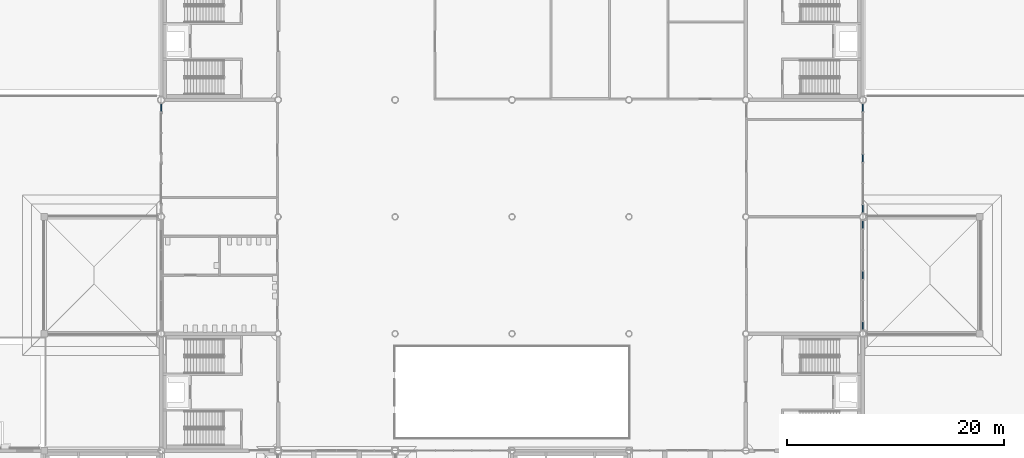
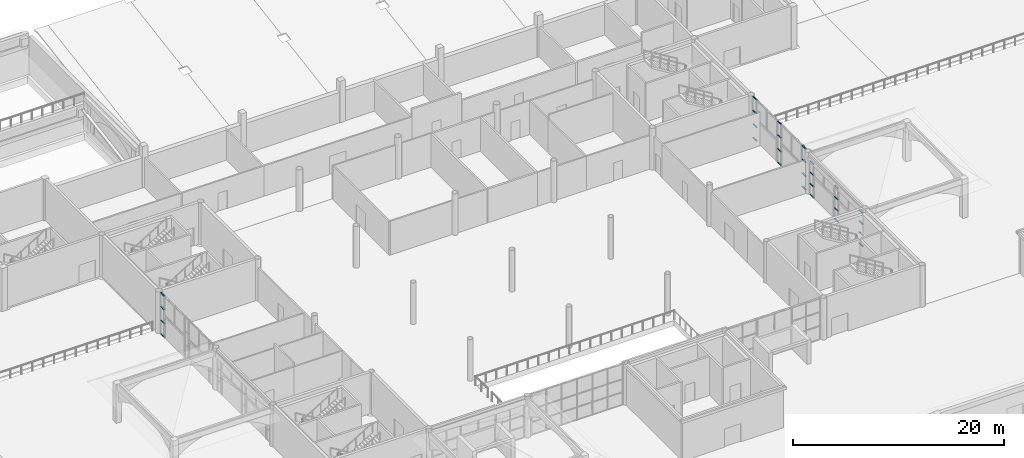
# One storey, part 30 of 91: 28 members, 7 elements without a shape of their own.
"""IFC4 building model written with IfcOpenShell, lengths in metres."""

from ifc_helpers import new_model, si_unit, direction, frame, origin, origin_2d, place, context, subcontext, project, spatial, rectangle, extrude, material, layer, layer_set, material_profile, profile_set, type_object, element, aggregate, save


model = new_model("IFC4")

# Units and contexts
model_context = context("Model", 3, precision=1e-05, world=origin(), true_north=direction((0.0, 1.0)))
body_context = subcontext(model_context, "Body", "Model", "MODEL_VIEW")
ifc_project = project(units=[si_unit("LENGTHUNIT", "METRE"), si_unit("AREAUNIT", "SQUARE_METRE"), si_unit("VOLUMEUNIT", "CUBIC_METRE"), si_unit("PLANEANGLEUNIT", "RADIAN"), si_unit("MASSUNIT", "GRAM", prefix="KILO")], contexts=[model_context])

# Site, building, storey
site_placement = place(None, origin())
site = spatial("IfcSite", under=ifc_project, at=site_placement, CompositionType="ELEMENT")
building_placement = place(site_placement, origin())
building = spatial("IfcBuilding", under=site, at=building_placement, Name="Magnolia Steps Interchange", CompositionType="ELEMENT")
storey_placement = place(building_placement, origin())
storey = spatial("IfcBuildingStorey", under=building, at=storey_placement, Name="L00", CompositionType="ELEMENT", Elevation=0.0)

# Curtain wall, members
ifc_material_1 = material(Name="Powder-coated aluminium and glass", Category="aluminium")
ifc_layer = layer(ifc_material_1, 0.14990234375)
ifc_layer_set = layer_set([ifc_layer], Name="Glazed hall curtain wall")
curtain_wall_type = type_object("IfcCurtainWallType", Name="Glazed hall curtain wall", PredefinedType="NOTDEFINED", material=ifc_layer_set)
curtain_wall_1_placement = place(storey_placement, origin())
curtain_wall_1 = element("IfcCurtainWall", 1, at=curtain_wall_1_placement, inside=storey, type_object=curtain_wall_type, Name="Hall glazing W3z L00", PredefinedType="NOTDEFINED")
ifc_material_2 = material(Name="White powder-coated aluminium", Category="aluminium")
ifc_material_profile = material_profile(ifc_material_2, rectangle(XDim=0.06005859375, YDim=0.1201171875, at=origin_2d()), Name="Aluminium transom 60 x 120")
ifc_profile_set = profile_set([ifc_material_profile], Name="White powder-coated aluminium")
member_type = type_object("IfcMemberType", Name="Aluminium transom 60 x 120", PredefinedType="USERDEFINED", material=ifc_profile_set)
member_1_placement = place(storey_placement, frame((53.199951171875, 73.739990234375, 0.030029296875), z_axis=(0.0, 1.0, 0.0), x_axis=(0.0, 0.0, 1.0)))
member_1 = element("IfcMember", 2, at=member_1_placement, type_object=member_type, Name="CW1 transom 1.1", ObjectType="TRANSOM", PredefinedType="USERDEFINED", context=body_context, shape_type="SweptSolid", body=[
    extrude(rectangle(XDim=0.06005859375, YDim=0.1201171875, at=origin_2d()), origin(), (0.0, 0.0, 1.0), 0.639892578125),
])
member_2_placement = place(storey_placement, frame((53.199951171875, 73.739990234375, 1.60009765625), z_axis=(0.0, 1.0, 0.0), x_axis=(0.0, 0.0, 1.0)))
member_2 = element("IfcMember", 3, at=member_2_placement, type_object=member_type, Name="CW1 transom 1.2", ObjectType="TRANSOM", PredefinedType="USERDEFINED", context=body_context, shape_type="SweptSolid", body=[
    extrude(rectangle(XDim=0.06005859375, YDim=0.1201171875, at=origin_2d()), origin(), (0.0, 0.0, 1.0), 0.639892578125),
])
member_3_placement = place(storey_placement, frame((53.199951171875, 73.739990234375, 3.199951171875), z_axis=(0.0, 1.0, 0.0), x_axis=(0.0, 0.0, 1.0)))
member_3 = element("IfcMember", 4, at=member_3_placement, type_object=member_type, Name="CW1 transom 1.3", ObjectType="TRANSOM", PredefinedType="USERDEFINED", context=body_context, shape_type="SweptSolid", body=[
    extrude(rectangle(XDim=0.06005859375, YDim=0.1201171875, at=origin_2d()), origin(), (0.0, 0.0, 1.0), 0.639892578125),
])
member_4_placement = place(storey_placement, frame((53.199951171875, 73.739990234375, 4.77001953125), z_axis=(0.0, 1.0, 0.0), x_axis=(0.0, 0.0, 1.0)))
member_4 = element("IfcMember", 5, at=member_4_placement, type_object=member_type, Name="CW1 transom 1.4", ObjectType="TRANSOM", PredefinedType="USERDEFINED", context=body_context, shape_type="SweptSolid", body=[
    extrude(rectangle(XDim=0.06005859375, YDim=0.1201171875, at=origin_2d()), origin(), (0.0, 0.0, 1.0), 0.639892578125),
])
aggregate(curtain_wall_1, [member_1, member_2, member_3, member_4])

curtain_wall_2_placement = place(storey_placement, origin())
curtain_wall_2 = element("IfcCurtainWall", 6, at=curtain_wall_2_placement, inside=storey, type_object=curtain_wall_type, Name="Hall glazing E2a L00", PredefinedType="NOTDEFINED")
member_5_placement = place(storey_placement, frame((118.0, 53.6201171875, 0.030029296875), z_axis=(0.0, 1.0, 0.0), x_axis=(0.0, 0.0, 1.0)))
member_5 = element("IfcMember", 7, at=member_5_placement, type_object=member_type, Name="CW1 transom 1.1", ObjectType="TRANSOM", PredefinedType="USERDEFINED", context=body_context, shape_type="SweptSolid", body=[
    extrude(rectangle(XDim=0.06005859375, YDim=0.1201171875, at=origin_2d()), origin(), (0.0, 0.0, 1.0), 0.639892578125),
])
member_6_placement = place(storey_placement, frame((118.0, 53.6201171875, 1.300048828125), z_axis=(0.0, 1.0, 0.0), x_axis=(0.0, 0.0, 1.0)))
member_6 = element("IfcMember", 8, at=member_6_placement, type_object=member_type, Name="CW1 transom 1.2", ObjectType="TRANSOM", PredefinedType="USERDEFINED", context=body_context, shape_type="SweptSolid", body=[
    extrude(rectangle(XDim=0.06005859375, YDim=0.1201171875, at=origin_2d()), origin(), (0.0, 0.0, 1.0), 0.639892578125),
])
member_7_placement = place(storey_placement, frame((118.0, 53.6201171875, 2.60009765625), z_axis=(0.0, 1.0, 0.0), x_axis=(0.0, 0.0, 1.0)))
member_7 = element("IfcMember", 9, at=member_7_placement, type_object=member_type, Name="CW1 transom 1.3", ObjectType="TRANSOM", PredefinedType="USERDEFINED", context=body_context, shape_type="SweptSolid", body=[
    extrude(rectangle(XDim=0.06005859375, YDim=0.1201171875, at=origin_2d()), origin(), (0.0, 0.0, 1.0), 0.639892578125),
])
member_8_placement = place(storey_placement, frame((118.0, 53.6201171875, 3.8701171875), z_axis=(0.0, 1.0, 0.0), x_axis=(0.0, 0.0, 1.0)))
member_8 = element("IfcMember", 10, at=member_8_placement, type_object=member_type, Name="CW1 transom 1.4", ObjectType="TRANSOM", PredefinedType="USERDEFINED", context=body_context, shape_type="SweptSolid", body=[
    extrude(rectangle(XDim=0.06005859375, YDim=0.1201171875, at=origin_2d()), origin(), (0.0, 0.0, 1.0), 0.639892578125),
])
aggregate(curtain_wall_2, [member_5, member_6, member_7, member_8])

curtain_wall_3_placement = place(storey_placement, origin())
curtain_wall_3 = element("IfcCurtainWall", 11, at=curtain_wall_3_placement, inside=storey, type_object=curtain_wall_type, Name="Hall glazing E2b L00", PredefinedType="NOTDEFINED")
member_9_placement = place(storey_placement, frame((118.0, 58.280029296875, 0.030029296875), z_axis=(0.0, 1.0, 0.0), x_axis=(0.0, 0.0, 1.0)))
member_9 = element("IfcMember", 12, at=member_9_placement, type_object=member_type, Name="CW1 transom 1.1", ObjectType="TRANSOM", PredefinedType="USERDEFINED", context=body_context, shape_type="SweptSolid", body=[
    extrude(rectangle(XDim=0.06005859375, YDim=0.1201171875, at=origin_2d()), origin(), (0.0, 0.0, 1.0), 0.639892578125),
])
member_10_placement = place(storey_placement, frame((118.0, 58.280029296875, 1.300048828125), z_axis=(0.0, 1.0, 0.0), x_axis=(0.0, 0.0, 1.0)))
member_10 = element("IfcMember", 13, at=member_10_placement, type_object=member_type, Name="CW1 transom 1.2", ObjectType="TRANSOM", PredefinedType="USERDEFINED", context=body_context, shape_type="SweptSolid", body=[
    extrude(rectangle(XDim=0.06005859375, YDim=0.1201171875, at=origin_2d()), origin(), (0.0, 0.0, 1.0), 0.639892578125),
])
member_11_placement = place(storey_placement, frame((118.0, 58.280029296875, 2.60009765625), z_axis=(0.0, 1.0, 0.0), x_axis=(0.0, 0.0, 1.0)))
member_11 = element("IfcMember", 14, at=member_11_placement, type_object=member_type, Name="CW1 transom 1.3", ObjectType="TRANSOM", PredefinedType="USERDEFINED", context=body_context, shape_type="SweptSolid", body=[
    extrude(rectangle(XDim=0.06005859375, YDim=0.1201171875, at=origin_2d()), origin(), (0.0, 0.0, 1.0), 0.639892578125),
])
member_12_placement = place(storey_placement, frame((118.0, 58.280029296875, 3.8701171875), z_axis=(0.0, 1.0, 0.0), x_axis=(0.0, 0.0, 1.0)))
member_12 = element("IfcMember", 15, at=member_12_placement, type_object=member_type, Name="CW1 transom 1.4", ObjectType="TRANSOM", PredefinedType="USERDEFINED", context=body_context, shape_type="SweptSolid", body=[
    extrude(rectangle(XDim=0.06005859375, YDim=0.1201171875, at=origin_2d()), origin(), (0.0, 0.0, 1.0), 0.639892578125),
])
aggregate(curtain_wall_3, [member_9, member_10, member_11, member_12])

curtain_wall_4_placement = place(storey_placement, origin())
curtain_wall_4 = element("IfcCurtainWall", 16, at=curtain_wall_4_placement, inside=storey, type_object=curtain_wall_type, Name="Hall glazing E2z L00", PredefinedType="NOTDEFINED")
member_13_placement = place(storey_placement, frame((118.0, 62.93994140625, 0.030029296875), z_axis=(0.0, 1.0, 0.0), x_axis=(0.0, 0.0, 1.0)))
member_13 = element("IfcMember", 17, at=member_13_placement, type_object=member_type, Name="CW1 transom 1.1", ObjectType="TRANSOM", PredefinedType="USERDEFINED", context=body_context, shape_type="SweptSolid", body=[
    extrude(rectangle(XDim=0.06005859375, YDim=0.1201171875, at=origin_2d()), origin(), (0.0, 0.0, 1.0), 0.64013671875),
])
member_14_placement = place(storey_placement, frame((118.0, 62.93994140625, 1.300048828125), z_axis=(0.0, 1.0, 0.0), x_axis=(0.0, 0.0, 1.0)))
member_14 = element("IfcMember", 18, at=member_14_placement, type_object=member_type, Name="CW1 transom 1.2", ObjectType="TRANSOM", PredefinedType="USERDEFINED", context=body_context, shape_type="SweptSolid", body=[
    extrude(rectangle(XDim=0.06005859375, YDim=0.1201171875, at=origin_2d()), origin(), (0.0, 0.0, 1.0), 0.64013671875),
])
member_15_placement = place(storey_placement, frame((118.0, 62.93994140625, 2.60009765625), z_axis=(0.0, 1.0, 0.0), x_axis=(0.0, 0.0, 1.0)))
member_15 = element("IfcMember", 19, at=member_15_placement, type_object=member_type, Name="CW1 transom 1.3", ObjectType="TRANSOM", PredefinedType="USERDEFINED", context=body_context, shape_type="SweptSolid", body=[
    extrude(rectangle(XDim=0.06005859375, YDim=0.1201171875, at=origin_2d()), origin(), (0.0, 0.0, 1.0), 0.64013671875),
])
member_16_placement = place(storey_placement, frame((118.0, 62.93994140625, 3.8701171875), z_axis=(0.0, 1.0, 0.0), x_axis=(0.0, 0.0, 1.0)))
member_16 = element("IfcMember", 20, at=member_16_placement, type_object=member_type, Name="CW1 transom 1.4", ObjectType="TRANSOM", PredefinedType="USERDEFINED", context=body_context, shape_type="SweptSolid", body=[
    extrude(rectangle(XDim=0.06005859375, YDim=0.1201171875, at=origin_2d()), origin(), (0.0, 0.0, 1.0), 0.64013671875),
])
aggregate(curtain_wall_4, [member_13, member_14, member_15, member_16])

curtain_wall_5_placement = place(storey_placement, origin())
curtain_wall_5 = element("IfcCurtainWall", 21, at=curtain_wall_5_placement, inside=storey, type_object=curtain_wall_type, Name="Hall glazing E3a L00", PredefinedType="NOTDEFINED")
member_17_placement = place(storey_placement, frame((118.0, 64.419921875, 0.030029296875), z_axis=(0.0, 1.0, 0.0), x_axis=(0.0, 0.0, 1.0)))
member_17 = element("IfcMember", 22, at=member_17_placement, type_object=member_type, Name="CW1 transom 1.1", ObjectType="TRANSOM", PredefinedType="USERDEFINED", context=body_context, shape_type="SweptSolid", body=[
    extrude(rectangle(XDim=0.06005859375, YDim=0.1201171875, at=origin_2d()), origin(), (0.0, 0.0, 1.0), 0.64013671875),
])
member_18_placement = place(storey_placement, frame((118.0, 64.419921875, 1.60009765625), z_axis=(0.0, 1.0, 0.0), x_axis=(0.0, 0.0, 1.0)))
member_18 = element("IfcMember", 23, at=member_18_placement, type_object=member_type, Name="CW1 transom 1.2", ObjectType="TRANSOM", PredefinedType="USERDEFINED", context=body_context, shape_type="SweptSolid", body=[
    extrude(rectangle(XDim=0.06005859375, YDim=0.1201171875, at=origin_2d()), origin(), (0.0, 0.0, 1.0), 0.64013671875),
])
member_19_placement = place(storey_placement, frame((118.0, 64.419921875, 3.199951171875), z_axis=(0.0, 1.0, 0.0), x_axis=(0.0, 0.0, 1.0)))
member_19 = element("IfcMember", 24, at=member_19_placement, type_object=member_type, Name="CW1 transom 1.3", ObjectType="TRANSOM", PredefinedType="USERDEFINED", context=body_context, shape_type="SweptSolid", body=[
    extrude(rectangle(XDim=0.06005859375, YDim=0.1201171875, at=origin_2d()), origin(), (0.0, 0.0, 1.0), 0.64013671875),
])
member_20_placement = place(storey_placement, frame((118.0, 64.419921875, 4.77001953125), z_axis=(0.0, 1.0, 0.0), x_axis=(0.0, 0.0, 1.0)))
member_20 = element("IfcMember", 25, at=member_20_placement, type_object=member_type, Name="CW1 transom 1.4", ObjectType="TRANSOM", PredefinedType="USERDEFINED", context=body_context, shape_type="SweptSolid", body=[
    extrude(rectangle(XDim=0.06005859375, YDim=0.1201171875, at=origin_2d()), origin(), (0.0, 0.0, 1.0), 0.64013671875),
])
aggregate(curtain_wall_5, [member_17, member_18, member_19, member_20])

curtain_wall_6_placement = place(storey_placement, origin())
curtain_wall_6 = element("IfcCurtainWall", 26, at=curtain_wall_6_placement, inside=storey, type_object=curtain_wall_type, Name="Hall glazing E3b L00", PredefinedType="NOTDEFINED")
member_21_placement = place(storey_placement, frame((118.0, 69.080078125, 0.030029296875), z_axis=(0.0, 1.0, 0.0), x_axis=(0.0, 0.0, 1.0)))
member_21 = element("IfcMember", 27, at=member_21_placement, type_object=member_type, Name="CW1 transom 1.1", ObjectType="TRANSOM", PredefinedType="USERDEFINED", context=body_context, shape_type="SweptSolid", body=[
    extrude(rectangle(XDim=0.06005859375, YDim=0.1201171875, at=origin_2d()), origin(), (0.0, 0.0, 1.0), 0.639892578125),
])
member_22_placement = place(storey_placement, frame((118.0, 69.080078125, 1.60009765625), z_axis=(0.0, 1.0, 0.0), x_axis=(0.0, 0.0, 1.0)))
member_22 = element("IfcMember", 28, at=member_22_placement, type_object=member_type, Name="CW1 transom 1.2", ObjectType="TRANSOM", PredefinedType="USERDEFINED", context=body_context, shape_type="SweptSolid", body=[
    extrude(rectangle(XDim=0.06005859375, YDim=0.1201171875, at=origin_2d()), origin(), (0.0, 0.0, 1.0), 0.639892578125),
])
member_23_placement = place(storey_placement, frame((118.0, 69.080078125, 3.199951171875), z_axis=(0.0, 1.0, 0.0), x_axis=(0.0, 0.0, 1.0)))
member_23 = element("IfcMember", 29, at=member_23_placement, type_object=member_type, Name="CW1 transom 1.3", ObjectType="TRANSOM", PredefinedType="USERDEFINED", context=body_context, shape_type="SweptSolid", body=[
    extrude(rectangle(XDim=0.06005859375, YDim=0.1201171875, at=origin_2d()), origin(), (0.0, 0.0, 1.0), 0.639892578125),
])
member_24_placement = place(storey_placement, frame((118.0, 69.080078125, 4.77001953125), z_axis=(0.0, 1.0, 0.0), x_axis=(0.0, 0.0, 1.0)))
member_24 = element("IfcMember", 30, at=member_24_placement, type_object=member_type, Name="CW1 transom 1.4", ObjectType="TRANSOM", PredefinedType="USERDEFINED", context=body_context, shape_type="SweptSolid", body=[
    extrude(rectangle(XDim=0.06005859375, YDim=0.1201171875, at=origin_2d()), origin(), (0.0, 0.0, 1.0), 0.639892578125),
])
aggregate(curtain_wall_6, [member_21, member_22, member_23, member_24])

curtain_wall_7_placement = place(storey_placement, origin())
curtain_wall_7 = element("IfcCurtainWall", 31, at=curtain_wall_7_placement, inside=storey, type_object=curtain_wall_type, Name="Hall glazing E3z L00", PredefinedType="NOTDEFINED")
member_25_placement = place(storey_placement, frame((118.0, 73.739990234375, 0.030029296875), z_axis=(0.0, 1.0, 0.0), x_axis=(0.0, 0.0, 1.0)))
member_25 = element("IfcMember", 32, at=member_25_placement, type_object=member_type, Name="CW1 transom 1.1", ObjectType="TRANSOM", PredefinedType="USERDEFINED", context=body_context, shape_type="SweptSolid", body=[
    extrude(rectangle(XDim=0.06005859375, YDim=0.1201171875, at=origin_2d()), origin(), (0.0, 0.0, 1.0), 0.639892578125),
])
member_26_placement = place(storey_placement, frame((118.0, 73.739990234375, 1.60009765625), z_axis=(0.0, 1.0, 0.0), x_axis=(0.0, 0.0, 1.0)))
member_26 = element("IfcMember", 33, at=member_26_placement, type_object=member_type, Name="CW1 transom 1.2", ObjectType="TRANSOM", PredefinedType="USERDEFINED", context=body_context, shape_type="SweptSolid", body=[
    extrude(rectangle(XDim=0.06005859375, YDim=0.1201171875, at=origin_2d()), origin(), (0.0, 0.0, 1.0), 0.639892578125),
])
member_27_placement = place(storey_placement, frame((118.0, 73.739990234375, 3.199951171875), z_axis=(0.0, 1.0, 0.0), x_axis=(0.0, 0.0, 1.0)))
member_27 = element("IfcMember", 34, at=member_27_placement, type_object=member_type, Name="CW1 transom 1.3", ObjectType="TRANSOM", PredefinedType="USERDEFINED", context=body_context, shape_type="SweptSolid", body=[
    extrude(rectangle(XDim=0.06005859375, YDim=0.1201171875, at=origin_2d()), origin(), (0.0, 0.0, 1.0), 0.639892578125),
])
member_28_placement = place(storey_placement, frame((118.0, 73.739990234375, 4.77001953125), z_axis=(0.0, 1.0, 0.0), x_axis=(0.0, 0.0, 1.0)))
member_28 = element("IfcMember", 35, at=member_28_placement, type_object=member_type, Name="CW1 transom 1.4", ObjectType="TRANSOM", PredefinedType="USERDEFINED", context=body_context, shape_type="SweptSolid", body=[
    extrude(rectangle(XDim=0.06005859375, YDim=0.1201171875, at=origin_2d()), origin(), (0.0, 0.0, 1.0), 0.639892578125),
])
aggregate(curtain_wall_7, [member_25, member_26, member_27, member_28])

save(model, "model.ifc")
